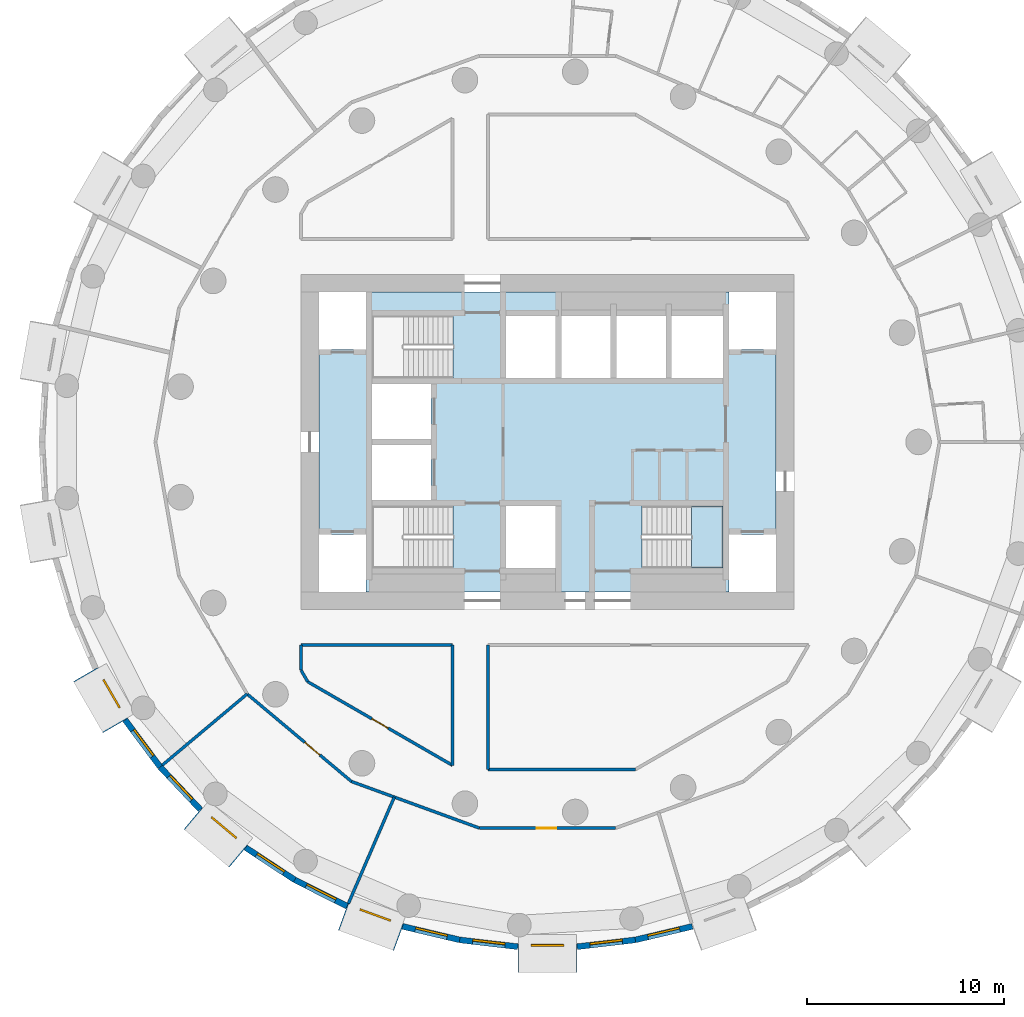
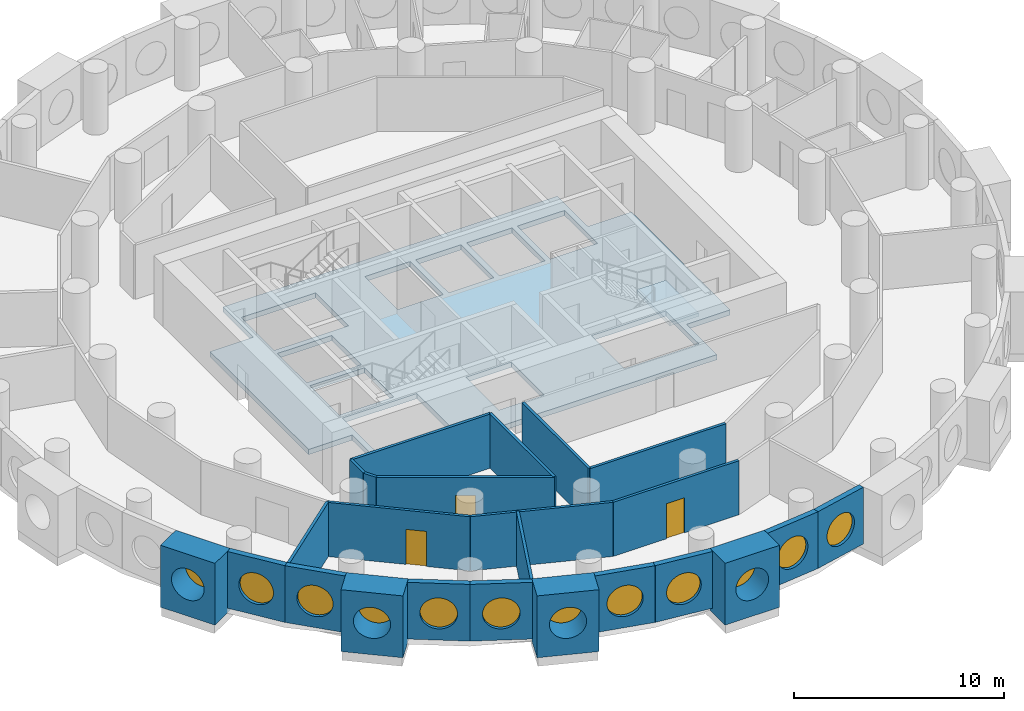
# One storey, part 2 of 10: 24 walls, 12 windows, 3 doors, 2 slabs, 15 openings, 1 element without a shape of its own.
"""IFC4 building model written with IfcOpenShell, lengths in metres."""

from ifc_helpers import new_model, si_unit, direction, frame, frame_2d, origin, origin_2d, place, context, subcontext, project, spatial, polyline, rectangle, circle, outline, extrude, material, layer, layer_set, type_object, element, fill, aggregate, save


model = new_model("IFC4")

# Units and contexts
model_context = context("Model", 3, precision=1e-05, world=origin(), true_north=direction((0.0, 1.0)))
body_context = subcontext(model_context, "Body", "Model", "MODEL_VIEW")
ifc_project = project(units=[si_unit("LENGTHUNIT", "METRE"), si_unit("AREAUNIT", "SQUARE_METRE"), si_unit("VOLUMEUNIT", "CUBIC_METRE"), si_unit("PLANEANGLEUNIT", "RADIAN"), si_unit("MASSUNIT", "GRAM", prefix="KILO")], contexts=[model_context])

# Site, building, storey
site_placement = place(None, origin())
site = spatial("IfcSite", under=ifc_project, at=site_placement, CompositionType="ELEMENT")
building_placement = place(site_placement, origin())
building = spatial("IfcBuilding", under=site, at=building_placement, Name="Tracery Tower", CompositionType="ELEMENT")
storey_placement = place(building_placement, frame((0.0, 0.0, 212.39990234375)))
storey = spatial("IfcBuildingStorey", under=building, at=storey_placement, Name="L55", CompositionType="ELEMENT", Elevation=212.39990234375)

# Slab
ifc_material_1 = material(Name="Concrete C50/60", Category="concrete")
ifc_layer_1 = layer(ifc_material_1, 0.300048828125)
ifc_layer_set_1 = layer_set([ifc_layer_1], Name="Core floor slab 300 C50")
slab_type_1 = type_object("IfcSlabType", Name="Core floor slab 300 C50", PredefinedType="FLOOR", material=ifc_layer_set_1)
slab_1_placement = place(storey_placement, frame((0.0, 0.0, -0.2998046875)))
element("IfcSlab", 1, at=slab_1_placement, inside=storey, type_object=slab_type_1, Name="L55 core floor 1", PredefinedType="FLOOR", context=body_context, shape_type="SweptSolid", body=[
    extrude(outline(polyline([(-9.199951171875, 7.60009765625), (9.199951171875, 7.60009765625), (9.199951171875, 4.699951171875), (11.60009765625, 4.699951171875), (11.60009765625, -4.699951171875), (9.199951171875, -4.699951171875), (9.199951171875, -7.60009765625), (-9.199951171875, -7.60009765625), (-9.199951171875, -4.699951171875), (-11.60009765625, -4.699951171875), (-11.60009765625, 4.699951171875), (-9.199951171875, 4.699951171875), (-9.199951171875, 7.60009765625)]), holes=[polyline([(4.800537109375, -6.39990234375), (8.89990234375, -6.39990234375), (8.89990234375, -3.25), (4.800537109375, -3.25), (4.800537109375, -6.39990234375)]), polyline([(8.89990234375, 3.25), (8.89990234375, 6.39990234375), (6.300048828125, 6.39990234375), (6.300048828125, 3.25), (8.89990234375, 3.25)]), polyline([(6.0, 3.25), (6.0, 6.39990234375), (3.5, 6.39990234375), (3.5, 3.25), (6.0, 3.25)]), polyline([(3.199951171875, 3.25), (3.199951171875, 6.39990234375), (0.699951171875, 6.39990234375), (0.699951171875, 3.25), (3.199951171875, 3.25)]), polyline([(-2.10009765625, 3.25), (0.39990234375, 3.25), (0.39990234375, 6.39990234375), (-2.10009765625, 6.39990234375), (-2.10009765625, 3.25)]), polyline([(0.39990234375, -6.39990234375), (0.39990234375, -3.25), (-2.10009765625, -3.25), (-2.10009765625, -6.39990234375), (0.39990234375, -6.39990234375)]), polyline([(-4.800537109375, -3.25), (-8.89990234375, -3.25), (-8.89990234375, -6.39990234375), (-4.800537109375, -6.39990234375), (-4.800537109375, -3.25)]), polyline([(-4.800537109375, 6.39990234375), (-8.89990234375, 6.39990234375), (-8.89990234375, 3.25), (-4.800537109375, 3.25), (-4.800537109375, 6.39990234375)]), polyline([(-5.89990234375, -2.949951171875), (-5.89990234375, -0.14990234375), (-8.89990234375, -0.14990234375), (-8.89990234375, -2.949951171875), (-5.89990234375, -2.949951171875)]), polyline([(-5.89990234375, 0.14990234375), (-5.89990234375, 2.949951171875), (-8.89990234375, 2.949951171875), (-8.89990234375, 0.14990234375), (-5.89990234375, 0.14990234375)])]), origin(), (0.0, 0.0, 1.0), 0.2998046875),
])

# Stair, slab
ifc_material_2 = material(Name="Concrete C32/40", Category="concrete")
stair_type = type_object("IfcStairType", Name="Core stair 22 risers", PredefinedType="HALF_TURN_STAIR", material=ifc_material_2)
stair_placement = place(storey_placement, origin())
stair = element("IfcStair", 2, at=stair_placement, inside=storey, type_object=stair_type, Name="L55 stair ST2", PredefinedType="HALF_TURN_STAIR")
ifc_material_3 = material(Name="Concrete C32/40", Category="concrete")
ifc_layer_2 = layer(ifc_material_3, 0.199951171875)
ifc_layer_set_2 = layer_set([ifc_layer_2], Name="Stair landing slab 200")
slab_type_2 = type_object("IfcSlabType", Name="Stair landing slab 200", PredefinedType="LANDING", material=ifc_layer_set_2)
slab_2_placement = place(storey_placement, frame((0.0, 0.0, 1.60009765625)))
slab_2 = element("IfcSlab", 3, at=slab_2_placement, type_object=slab_type_2, Name="ST2 landing 1", PredefinedType="LANDING", context=body_context, shape_type="SweptSolid", body=[
    extrude(outline(polyline([(7.29931640625, -6.39990234375), (8.89990234375, -6.39990234375), (8.89990234375, -3.25), (7.29931640625, -3.25), (7.29931640625, -6.39990234375)])), origin(), (0.0, 0.0, 1.0), 0.199951171875),
])
aggregate(stair, [slab_2])

# Wall, opening, window
ifc_material_4 = material(Name="Precast concrete C50/60", Category="concrete")
ifc_layer_3 = layer(ifc_material_4, 1.449951171875)
ifc_layer_set_3 = layer_set([ifc_layer_3], Name="Deep-set bay unit 3000 x 3600, slab edge 300")
wall_type_1 = type_object("IfcWallType", Name="Deep-set bay unit 3000 x 3600, slab edge 300", PredefinedType="ELEMENTEDWALL", material=ifc_layer_set_3)
wall_1_placement = place(storey_placement, frame((-23.421630859375, -11.79052734375, -0.2998046875), z_axis=(0.0, 0.0, 1.0), x_axis=(0.499990139034, -0.866031096941, 0.0)))
wall_1 = element("IfcWall", 4, at=wall_1_placement, inside=storey, type_object=wall_type_1, Name="Deep-set bay unit 32 at L55", PredefinedType="ELEMENTEDWALL", context=body_context, shape_type="SweptSolid", body=[
    extrude(rectangle(XDim=3.0, YDim=1.449951171875, at=frame_2d((1.5, 0.0))), origin(), (0.0, 0.0, 1.0), 3.599853515625),
])
opening_1_placement = place(wall_1_placement, frame((1.5, 0.0, 1.85009765625)))
opening_1 = element("IfcOpeningElement", 5, at=opening_1_placement, cuts=wall_1, Name="Opening WN1", PredefinedType="OPENING", context=body_context, shape_type="SweptSolid", body=[
    extrude(circle(Radius=0.9000244140625, at=origin_2d()), frame((0.0, 0.73486328125, 0.0), z_axis=(0.0, -1.0, 0.0), x_axis=(1.0, 0.0, 0.0)), (0.0, 0.0, 1.0), 1.469970703125),
])
ifc_material_5 = material(Name="Aluminium frame with tinted double glazing", Category="aluminium")
window_type = type_object("IfcWindowType", Name="Round window 1800", PartitioningType="SINGLE_PANEL", PredefinedType="WINDOW", material=ifc_material_5)
window_1_placement = place(opening_1_placement, origin())
window_1 = element("IfcWindow", 6, at=window_1_placement, inside=storey, type_object=window_type, Name="Round window 32 at L55", OverallHeight=1.800048828125, OverallWidth=1.800048828125, PartitioningType="SINGLE_PANEL", PredefinedType="WINDOW", context=body_context, shape_type="SweptSolid", body=[
    extrude(circle(Radius=0.9000244140625, at=origin_2d()), frame((0.0, 0.69482421875, 0.0), z_axis=(0.0, -1.0, 0.0), x_axis=(1.0, 0.0, 0.0)), (0.0, 0.0, 1.0), 0.10009765625),
])
fill(opening_1, window_1)

wall_2_placement = place(storey_placement, frame((-17.9765625, -19.090087890625, -0.2998046875), z_axis=(0.0, 0.0, 1.0), x_axis=(0.766022196139, -0.642814121673, 0.0)))
wall_2 = element("IfcWall", 7, at=wall_2_placement, inside=storey, type_object=wall_type_1, Name="Deep-set bay unit 35 at L55", PredefinedType="ELEMENTEDWALL", context=body_context, shape_type="SweptSolid", body=[
    extrude(rectangle(XDim=3.0, YDim=1.449951171875, at=frame_2d((1.5, 0.0))), origin(), (0.0, 0.0, 1.0), 3.599853515625),
])
opening_2_placement = place(wall_2_placement, frame((1.5, 0.0, 1.85009765625)))
opening_2 = element("IfcOpeningElement", 8, at=opening_2_placement, cuts=wall_2, Name="Opening WN1", PredefinedType="OPENING", context=body_context, shape_type="SweptSolid", body=[
    extrude(circle(Radius=0.9000244140625, at=origin_2d()), frame((0.0, 0.73486328125, 0.0), z_axis=(0.0, -1.0, 0.0), x_axis=(1.0, 0.0, 0.0)), (0.0, 0.0, 1.0), 1.469970703125),
])
window_2_placement = place(opening_2_placement, origin())
window_2 = element("IfcWindow", 9, at=window_2_placement, inside=storey, type_object=window_type, Name="Round window 35 at L55", OverallHeight=1.800048828125, OverallWidth=1.800048828125, PartitioningType="SINGLE_PANEL", PredefinedType="WINDOW", context=body_context, shape_type="SweptSolid", body=[
    extrude(circle(Radius=0.9000244140625, at=origin_2d()), frame((0.0, 0.69482421875, 0.0), z_axis=(0.0, -1.0, 0.0), x_axis=(1.0, 0.0, 0.0)), (0.0, 0.0, 1.0), 0.10009765625),
])
fill(opening_2, window_2)

wall_3_placement = place(storey_placement, frame((-10.36328125, -24.087158203125, -0.2998046875), z_axis=(0.0, 0.0, 1.0), x_axis=(0.939686455819, -0.342037080957, 0.0)))
wall_3 = element("IfcWall", 10, at=wall_3_placement, inside=storey, type_object=wall_type_1, Name="Deep-set bay unit 38 at L55", PredefinedType="ELEMENTEDWALL", context=body_context, shape_type="SweptSolid", body=[
    extrude(rectangle(XDim=3.0, YDim=1.449951171875, at=frame_2d((1.5, 0.0))), origin(), (0.0, 0.0, 1.0), 3.599853515625),
])
opening_3_placement = place(wall_3_placement, frame((1.5, 0.0, 1.85009765625)))
opening_3 = element("IfcOpeningElement", 11, at=opening_3_placement, cuts=wall_3, Name="Opening WN1", PredefinedType="OPENING", context=body_context, shape_type="SweptSolid", body=[
    extrude(circle(Radius=0.9000244140625, at=origin_2d()), frame((0.0, 0.73486328125, 0.0), z_axis=(0.0, -1.0, 0.0), x_axis=(1.0, 0.0, 0.0)), (0.0, 0.0, 1.0), 1.469970703125),
])
window_3_placement = place(opening_3_placement, origin())
window_3 = element("IfcWindow", 12, at=window_3_placement, inside=storey, type_object=window_type, Name="Round window 38 at L55", OverallHeight=1.800048828125, OverallWidth=1.800048828125, PartitioningType="SINGLE_PANEL", PredefinedType="WINDOW", context=body_context, shape_type="SweptSolid", body=[
    extrude(circle(Radius=0.9000244140625, at=origin_2d()), frame((0.0, 0.69482421875, 0.0), z_axis=(0.0, -1.0, 0.0), x_axis=(1.0, 0.0, 0.0)), (0.0, 0.0, 1.0), 0.10009765625),
])
fill(opening_3, window_3)

wall_4_placement = place(storey_placement, frame((-1.5, -26.178955078125, -0.2998046875), z_axis=(0.0, 0.0, 1.0), x_axis=(1.0, 0.0, 0.0)))
wall_4 = element("IfcWall", 13, at=wall_4_placement, inside=storey, type_object=wall_type_1, Name="Deep-set bay unit 41 at L55", PredefinedType="ELEMENTEDWALL", context=body_context, shape_type="SweptSolid", body=[
    extrude(rectangle(XDim=3.0, YDim=1.449951171875, at=frame_2d((1.5, 0.0))), origin(), (0.0, 0.0, 1.0), 3.599853515625),
])
opening_4_placement = place(wall_4_placement, frame((1.5, 0.0, 1.85009765625)))
opening_4 = element("IfcOpeningElement", 14, at=opening_4_placement, cuts=wall_4, Name="Opening WN1", PredefinedType="OPENING", context=body_context, shape_type="SweptSolid", body=[
    extrude(circle(Radius=0.9000244140625, at=origin_2d()), frame((0.0, 0.73486328125, 0.0), z_axis=(0.0, -1.0, 0.0), x_axis=(1.0, 0.0, 0.0)), (0.0, 0.0, 1.0), 1.469970703125),
])
window_4_placement = place(opening_4_placement, origin())
window_4 = element("IfcWindow", 15, at=window_4_placement, inside=storey, type_object=window_type, Name="Round window 41 at L55", OverallHeight=1.800048828125, OverallWidth=1.800048828125, PartitioningType="SINGLE_PANEL", PredefinedType="WINDOW", context=body_context, shape_type="SweptSolid", body=[
    extrude(circle(Radius=0.9000244140625, at=origin_2d()), frame((0.0, 0.69482421875, 0.0), z_axis=(0.0, -1.0, 0.0), x_axis=(1.0, 0.0, 0.0)), (0.0, 0.0, 1.0), 0.10009765625),
])
fill(opening_4, window_4)

ifc_material_6 = material(Name="Precast concrete C50/60", Category="concrete")
ifc_layer_4 = layer(ifc_material_6, 0.300048828125)
ifc_layer_set_4 = layer_set([ifc_layer_4], Name="Facade panel 3000 x 3300")
wall_type_2 = type_object("IfcWallType", Name="Facade panel 3000 x 3300", PredefinedType="SOLIDWALL", material=ifc_layer_set_4)
wall_5_placement = place(storey_placement, frame((-21.42236328125, -14.101318359375, 0.0), z_axis=(0.0, 0.0, 1.0), x_axis=(0.597197580538, -0.80209416517, 0.0)))
wall_5 = element("IfcWall", 16, at=wall_5_placement, inside=storey, type_object=wall_type_2, Name="Facade panel 33 at L55", PredefinedType="SOLIDWALL", context=body_context, shape_type="SweptSolid", body=[
    extrude(rectangle(XDim=2.972900390625, YDim=0.300048828125, at=frame_2d((1.486328125, 0.0))), origin(), (0.0, 0.0, 1.0), 3.300048828125),
])
opening_5_placement = place(wall_5_placement, frame((1.486328125, 0.0, 1.5498046875)))
opening_5 = element("IfcOpeningElement", 17, at=opening_5_placement, cuts=wall_5, Name="Opening WN1", PredefinedType="OPENING", context=body_context, shape_type="SweptSolid", body=[
    extrude(circle(Radius=0.9000244140625, at=origin_2d()), frame((0.0, 0.159912109375, 0.0), z_axis=(0.0, -1.0, 0.0), x_axis=(1.0, 0.0, 0.0)), (0.0, 0.0, 1.0), 0.320068359375),
])
window_5_placement = place(opening_5_placement, origin())
window_5 = element("IfcWindow", 18, at=window_5_placement, inside=storey, type_object=window_type, Name="Round window 33 at L55", OverallHeight=1.800048828125, OverallWidth=1.800048828125, PartitioningType="SINGLE_PANEL", PredefinedType="WINDOW", context=body_context, shape_type="SweptSolid", body=[
    extrude(circle(Radius=0.9000244140625, at=origin_2d()), frame((0.0, 0.1201171875, 0.0), z_axis=(0.0, -1.0, 0.0), x_axis=(1.0, 0.0, 0.0)), (0.0, 0.0, 1.0), 0.10009765625),
])
fill(opening_5, window_5)

wall_6_placement = place(storey_placement, frame((-19.64697265625, -16.48583984375, 0.0), z_axis=(0.0, 0.0, 1.0), x_axis=(0.686235184166, -0.727379730273, 0.0)))
wall_6 = element("IfcWall", 19, at=wall_6_placement, inside=storey, type_object=wall_type_2, Name="Facade panel 34 at L55", PredefinedType="SOLIDWALL", context=body_context, shape_type="SweptSolid", body=[
    extrude(rectangle(XDim=2.972900390625, YDim=0.300048828125, at=frame_2d((1.486328125, 0.0))), origin(), (0.0, 0.0, 1.0), 3.300048828125),
])
opening_6_placement = place(wall_6_placement, frame((1.486328125, 0.0, 1.5498046875)))
opening_6 = element("IfcOpeningElement", 20, at=opening_6_placement, cuts=wall_6, Name="Opening WN1", PredefinedType="OPENING", context=body_context, shape_type="SweptSolid", body=[
    extrude(circle(Radius=0.9000244140625, at=origin_2d()), frame((0.0, 0.159912109375, 0.0), z_axis=(0.0, -1.0, 0.0), x_axis=(1.0, 0.0, 0.0)), (0.0, 0.0, 1.0), 0.320068359375),
])
window_6_placement = place(opening_6_placement, origin())
window_6 = element("IfcWindow", 21, at=window_6_placement, inside=storey, type_object=window_type, Name="Round window 34 at L55", OverallHeight=1.800048828125, OverallWidth=1.800048828125, PartitioningType="SINGLE_PANEL", PredefinedType="WINDOW", context=body_context, shape_type="SweptSolid", body=[
    extrude(circle(Radius=0.9000244140625, at=origin_2d()), frame((0.0, 0.1201171875, 0.0), z_axis=(0.0, -1.0, 0.0), x_axis=(1.0, 0.0, 0.0)), (0.0, 0.0, 1.0), 0.10009765625),
])
fill(opening_6, window_6)

wall_7_placement = place(storey_placement, frame((-15.3076171875, -20.57763671875, 0.0), z_axis=(0.0, 0.0, 1.0), x_axis=(0.835470659512, -0.549535055382, 0.0)))
wall_7 = element("IfcWall", 22, at=wall_7_placement, inside=storey, type_object=wall_type_2, Name="Facade panel 36 at L55", PredefinedType="SOLIDWALL", context=body_context, shape_type="SweptSolid", body=[
    extrude(rectangle(XDim=2.97314453125, YDim=0.300048828125, at=frame_2d((1.486572265625, 0.0))), origin(), (0.0, 0.0, 1.0), 3.300048828125),
])
opening_7_placement = place(wall_7_placement, frame((1.486328125, 0.0, 1.5498046875)))
opening_7 = element("IfcOpeningElement", 23, at=opening_7_placement, cuts=wall_7, Name="Opening WN1", PredefinedType="OPENING", context=body_context, shape_type="SweptSolid", body=[
    extrude(circle(Radius=0.9000244140625, at=origin_2d()), frame((0.0, 0.159912109375, 0.0), z_axis=(0.0, -1.0, 0.0), x_axis=(1.0, 0.0, 0.0)), (0.0, 0.0, 1.0), 0.320068359375),
])
window_7_placement = place(opening_7_placement, origin())
window_7 = element("IfcWindow", 24, at=window_7_placement, inside=storey, type_object=window_type, Name="Round window 36 at L55", OverallHeight=1.800048828125, OverallWidth=1.800048828125, PartitioningType="SINGLE_PANEL", PredefinedType="WINDOW", context=body_context, shape_type="SweptSolid", body=[
    extrude(circle(Radius=0.9000244140625, at=origin_2d()), frame((0.0, 0.1201171875, 0.0), z_axis=(0.0, -1.0, 0.0), x_axis=(1.0, 0.0, 0.0)), (0.0, 0.0, 1.0), 0.10009765625),
])
fill(opening_7, window_7)

wall_8_placement = place(storey_placement, frame((-12.82373046875, -22.21142578125, 0.0), z_axis=(0.0, 0.0, 1.0), x_axis=(0.893637442555, -0.448789618045, 0.0)))
wall_8 = element("IfcWall", 25, at=wall_8_placement, inside=storey, type_object=wall_type_2, Name="Facade panel 37 at L55", PredefinedType="SOLIDWALL", context=body_context, shape_type="SweptSolid", body=[
    extrude(rectangle(XDim=2.972900390625, YDim=0.300048828125, at=frame_2d((1.486328125, 0.0))), origin(), (0.0, 0.0, 1.0), 3.300048828125),
])
opening_8_placement = place(wall_8_placement, frame((1.486328125, 0.0, 1.5498046875)))
opening_8 = element("IfcOpeningElement", 26, at=opening_8_placement, cuts=wall_8, Name="Opening WN1", PredefinedType="OPENING", context=body_context, shape_type="SweptSolid", body=[
    extrude(circle(Radius=0.9000244140625, at=origin_2d()), frame((0.0, 0.159912109375, 0.0), z_axis=(0.0, -1.0, 0.0), x_axis=(1.0, 0.0, 0.0)), (0.0, 0.0, 1.0), 0.320068359375),
])
window_8_placement = place(opening_8_placement, origin())
window_8 = element("IfcWindow", 27, at=window_8_placement, inside=storey, type_object=window_type, Name="Round window 37 at L55", OverallHeight=1.800048828125, OverallWidth=1.800048828125, PartitioningType="SINGLE_PANEL", PredefinedType="WINDOW", context=body_context, shape_type="SweptSolid", body=[
    extrude(circle(Radius=0.9000244140625, at=origin_2d()), frame((0.0, 0.1201171875, 0.0), z_axis=(0.0, -1.0, 0.0), x_axis=(1.0, 0.0, 0.0)), (0.0, 0.0, 1.0), 0.10009765625),
])
fill(opening_8, window_8)

wall_9_placement = place(storey_placement, frame((-7.346435546875, -24.572265625, 0.0), z_axis=(0.0, 0.0, 1.0), x_axis=(0.973049746156, -0.230595298102, 0.0)))
wall_9 = element("IfcWall", 28, at=wall_9_placement, inside=storey, type_object=wall_type_2, Name="Facade panel 39 at L55", PredefinedType="SOLIDWALL", context=body_context, shape_type="SweptSolid", body=[
    extrude(rectangle(XDim=2.972900390625, YDim=0.300048828125, at=frame_2d((1.486328125, 0.0))), origin(), (0.0, 0.0, 1.0), 3.300048828125),
])
opening_9_placement = place(wall_9_placement, frame((1.486328125, 0.0, 1.5498046875)))
opening_9 = element("IfcOpeningElement", 29, at=opening_9_placement, cuts=wall_9, Name="Opening WN1", PredefinedType="OPENING", context=body_context, shape_type="SweptSolid", body=[
    extrude(circle(Radius=0.9000244140625, at=origin_2d()), frame((0.0, 0.159912109375, 0.0), z_axis=(0.0, -1.0, 0.0), x_axis=(1.0, 0.0, 0.0)), (0.0, 0.0, 1.0), 0.320068359375),
])
window_9_placement = place(opening_9_placement, origin())
window_9 = element("IfcWindow", 30, at=window_9_placement, inside=storey, type_object=window_type, Name="Round window 39 at L55", OverallHeight=1.800048828125, OverallWidth=1.800048828125, PartitioningType="SINGLE_PANEL", PredefinedType="WINDOW", context=body_context, shape_type="SweptSolid", body=[
    extrude(circle(Radius=0.9000244140625, at=origin_2d()), frame((0.0, 0.1201171875, 0.0), z_axis=(0.0, -1.0, 0.0), x_axis=(1.0, 0.0, 0.0)), (0.0, 0.0, 1.0), 0.10009765625),
])
fill(opening_9, window_9)

wall_10_placement = place(storey_placement, frame((-4.45361328125, -25.2578125, 0.0), z_axis=(0.0, 0.0, 1.0), x_axis=(0.993235542767, -0.116116995244, 0.0)))
wall_10 = element("IfcWall", 31, at=wall_10_placement, inside=storey, type_object=wall_type_2, Name="Facade panel 40 at L55", PredefinedType="SOLIDWALL", context=body_context, shape_type="SweptSolid", body=[
    extrude(rectangle(XDim=2.972900390625, YDim=0.300048828125, at=frame_2d((1.486328125, 0.0))), origin(), (0.0, 0.0, 1.0), 3.300048828125),
])
opening_10_placement = place(wall_10_placement, frame((1.486328125, 0.0, 1.5498046875)))
opening_10 = element("IfcOpeningElement", 32, at=opening_10_placement, cuts=wall_10, Name="Opening WN1", PredefinedType="OPENING", context=body_context, shape_type="SweptSolid", body=[
    extrude(circle(Radius=0.9000244140625, at=origin_2d()), frame((0.0, 0.159912109375, 0.0), z_axis=(0.0, -1.0, 0.0), x_axis=(1.0, 0.0, 0.0)), (0.0, 0.0, 1.0), 0.320068359375),
])
window_10_placement = place(opening_10_placement, origin())
window_10 = element("IfcWindow", 33, at=window_10_placement, inside=storey, type_object=window_type, Name="Round window 40 at L55", OverallHeight=1.800048828125, OverallWidth=1.800048828125, PartitioningType="SINGLE_PANEL", PredefinedType="WINDOW", context=body_context, shape_type="SweptSolid", body=[
    extrude(circle(Radius=0.9000244140625, at=origin_2d()), frame((0.0, 0.1201171875, 0.0), z_axis=(0.0, -1.0, 0.0), x_axis=(1.0, 0.0, 0.0)), (0.0, 0.0, 1.0), 0.10009765625),
])
fill(opening_10, window_10)

wall_11_placement = place(storey_placement, frame((1.500732421875, -25.60302734375, 0.0), z_axis=(0.0, 0.0, 1.0), x_axis=(0.993235542767, 0.116116995244, 0.0)))
wall_11 = element("IfcWall", 34, at=wall_11_placement, inside=storey, type_object=wall_type_2, Name="Facade panel 42 at L55", PredefinedType="SOLIDWALL", context=body_context, shape_type="SweptSolid", body=[
    extrude(rectangle(XDim=2.972900390625, YDim=0.300048828125, at=frame_2d((1.486328125, 0.0))), origin(), (0.0, 0.0, 1.0), 3.300048828125),
])
opening_11_placement = place(wall_11_placement, frame((1.486328125, 0.0, 1.5498046875)))
opening_11 = element("IfcOpeningElement", 35, at=opening_11_placement, cuts=wall_11, Name="Opening WN1", PredefinedType="OPENING", context=body_context, shape_type="SweptSolid", body=[
    extrude(circle(Radius=0.9000244140625, at=origin_2d()), frame((0.0, 0.159912109375, 0.0), z_axis=(0.0, -1.0, 0.0), x_axis=(1.0, 0.0, 0.0)), (0.0, 0.0, 1.0), 0.320068359375),
])
window_11_placement = place(opening_11_placement, origin())
window_11 = element("IfcWindow", 36, at=window_11_placement, inside=storey, type_object=window_type, Name="Round window 42 at L55", OverallHeight=1.800048828125, OverallWidth=1.800048828125, PartitioningType="SINGLE_PANEL", PredefinedType="WINDOW", context=body_context, shape_type="SweptSolid", body=[
    extrude(circle(Radius=0.9000244140625, at=origin_2d()), frame((0.0, 0.1201171875, 0.0), z_axis=(0.0, -1.0, 0.0), x_axis=(1.0, 0.0, 0.0)), (0.0, 0.0, 1.0), 0.10009765625),
])
fill(opening_11, window_11)

wall_12_placement = place(storey_placement, frame((4.45361328125, -25.2578125, 0.0), z_axis=(0.0, 0.0, 1.0), x_axis=(0.973049746156, 0.230595298102, 0.0)))
wall_12 = element("IfcWall", 37, at=wall_12_placement, inside=storey, type_object=wall_type_2, Name="Facade panel 43 at L55", PredefinedType="SOLIDWALL", context=body_context, shape_type="SweptSolid", body=[
    extrude(rectangle(XDim=2.972900390625, YDim=0.300048828125, at=frame_2d((1.486328125, 0.0))), origin(), (0.0, 0.0, 1.0), 3.300048828125),
])
opening_12_placement = place(wall_12_placement, frame((1.486328125, 0.0, 1.5498046875)))
opening_12 = element("IfcOpeningElement", 38, at=opening_12_placement, cuts=wall_12, Name="Opening WN1", PredefinedType="OPENING", context=body_context, shape_type="SweptSolid", body=[
    extrude(circle(Radius=0.9000244140625, at=origin_2d()), frame((0.0, 0.159912109375, 0.0), z_axis=(0.0, -1.0, 0.0), x_axis=(1.0, 0.0, 0.0)), (0.0, 0.0, 1.0), 0.320068359375),
])
window_12_placement = place(opening_12_placement, origin())
window_12 = element("IfcWindow", 39, at=window_12_placement, inside=storey, type_object=window_type, Name="Round window 43 at L55", OverallHeight=1.800048828125, OverallWidth=1.800048828125, PartitioningType="SINGLE_PANEL", PredefinedType="WINDOW", context=body_context, shape_type="SweptSolid", body=[
    extrude(circle(Radius=0.9000244140625, at=origin_2d()), frame((0.0, 0.1201171875, 0.0), z_axis=(0.0, -1.0, 0.0), x_axis=(1.0, 0.0, 0.0)), (0.0, 0.0, 1.0), 0.10009765625),
])
fill(opening_12, window_12)

# Walls
ifc_material_7 = material(Name="Plasterboard on steel studs", Category="steel")
ifc_layer_5 = layer(ifc_material_7, 0.14990234375)
ifc_layer_set_5 = layer_set([ifc_layer_5], Name="Partition 150 acoustic unit wall")
wall_type_3 = type_object("IfcWallType", Name="Partition 150 acoustic unit wall", PredefinedType="PARTITIONING", material=ifc_layer_set_5)
wall_13_placement = place(storey_placement, frame((-19.531982421875, -16.388916015625, 0.0), z_axis=(0.0, 0.0, 1.0), x_axis=(0.76609059793, 0.642732600514, 0.0)))
element("IfcWall", 40, at=wall_13_placement, inside=storey, type_object=wall_type_3, Name="Unit wall RB9-066", PredefinedType="PARTITIONING", context=body_context, shape_type="SweptSolid", body=[
    extrude(rectangle(XDim=5.60888671875, YDim=0.14990234375, at=frame_2d((2.804443359375, 0.0))), origin(), (0.0, 0.0, 1.0), 3.150146484375),
])
wall_14_placement = place(storey_placement, frame((-10.09912109375, -23.412109375, 0.0), z_axis=(0.0, 0.0, 1.0), x_axis=(0.39601833725, 0.918242602236, 0.0)))
element("IfcWall", 41, at=wall_14_placement, inside=storey, type_object=wall_type_3, Name="Unit wall RB9-067", PredefinedType="PARTITIONING", context=body_context, shape_type="SweptSolid", body=[
    extrude(rectangle(XDim=5.87890625, YDim=0.14990234375, at=frame_2d((2.939453125, 0.0))), origin(), (0.0, 0.0, 1.0), 3.150146484375),
])
ifc_material_8 = material(Name="Plasterboard on steel studs", Category="steel")
ifc_layer_6 = layer(ifc_material_8, 0.14990234375)
ifc_layer_set_6 = layer_set([ifc_layer_6], Name="Partition 150 corridor wall")
wall_type_4 = type_object("IfcWallType", Name="Partition 150 corridor wall", PredefinedType="PARTITIONING", material=ifc_layer_set_6)
wall_15_placement = place(storey_placement, frame((-12.50390625, -10.300048828125, 0.0), z_axis=(0.0, 0.0, 1.0), x_axis=(1.0, 0.0, 0.0)))
element("IfcWall", 42, at=wall_15_placement, inside=storey, type_object=wall_type_4, Name="Corridor wall RB9-003", PredefinedType="PARTITIONING", context=body_context, shape_type="SweptSolid", body=[
    extrude(rectangle(XDim=7.68701171875, YDim=0.14990234375, at=frame_2d((3.843505859375, 0.0))), origin(), (0.0, 0.0, 1.0), 3.150146484375),
])
wall_16_placement = place(storey_placement, frame((-12.5, -11.576904296875, 0.0), z_axis=(0.0, 0.0, 1.0), x_axis=(0.0, 1.0, 0.0)))
element("IfcWall", 43, at=wall_16_placement, inside=storey, type_object=wall_type_4, Name="Corridor wall RB9-024", PredefinedType="PARTITIONING", context=body_context, shape_type="SweptSolid", body=[
    extrude(rectangle(XDim=1.27685546875, YDim=0.14990234375, at=frame_2d((0.638427734375, 0.0))), origin(), (0.0, 0.0, 1.0), 3.150146484375),
])
wall_17_placement = place(storey_placement, frame((-12.5, -11.576904296875, 0.0), z_axis=(0.0, 0.0, 1.0), x_axis=(0.500024767483, -0.866011103799, 0.0)))
element("IfcWall", 44, at=wall_17_placement, inside=storey, type_object=wall_type_4, Name="Corridor wall RB9-025", PredefinedType="PARTITIONING", context=body_context, shape_type="SweptSolid", body=[
    extrude(rectangle(XDim=0.67578125, YDim=0.14990234375, at=frame_2d((0.337890625, 0.0))), origin(), (0.0, 0.0, 1.0), 3.150146484375),
])

# Wall, opening, door
wall_18_placement = place(storey_placement, frame((-15.235107421875, -12.783935546875, 0.0), z_axis=(0.0, 0.0, 1.0), x_axis=(0.766192104565, -0.642611592567, 0.0)))
wall_18 = element("IfcWall", 45, at=wall_18_placement, inside=storey, type_object=wall_type_4, Name="Corridor wall RB9-030", PredefinedType="PARTITIONING", context=body_context, shape_type="SweptSolid", body=[
    extrude(rectangle(XDim=6.906494140625, YDim=0.14990234375, at=frame_2d((3.453125, 0.0))), origin(), (0.0, 0.0, 1.0), 3.150146484375),
])
opening_13_placement = place(wall_18_placement, frame((3.823486328125, 0.0, 0.0)))
opening_13 = element("IfcOpeningElement", 46, at=opening_13_placement, cuts=wall_18, Name="Opening RB9-22", PredefinedType="OPENING", context=body_context, shape_type="SweptSolid", body=[
    extrude(rectangle(XDim=1.0, YDim=2.0400390625, at=frame_2d((0.5, 1.02001953125))), frame((0.0, 0.074951171875, 0.0), z_axis=(0.0, -1.0, 0.0), x_axis=(1.0, 0.0, 0.0)), (0.0, 0.0, 1.0), 0.14990234375),
])
ifc_material_9 = material(Name="Timber door leaf", Category="wood")
door_type_1 = type_object("IfcDoorType", Name="Door communal room 1000", OperationType="NOTDEFINED", PredefinedType="DOOR", material=ifc_material_9)
door_1_placement = place(opening_13_placement, origin())
door_1 = element("IfcDoor", 47, at=door_1_placement, inside=storey, type_object=door_type_1, Name="Communal room door RB9-22", OperationType="SINGLE_SWING_LEFT", OverallHeight=2.0400390625, OverallWidth=1.0, PredefinedType="DOOR", context=body_context, shape_type="SweptSolid", body=[
    extrude(rectangle(XDim=1.0, YDim=2.0400390625, at=frame_2d((0.5, 1.02001953125))), frame((0.0, 0.02490234375, 0.0), z_axis=(0.0, -1.0, 0.0), x_axis=(1.0, 0.0, 0.0)), (0.0, 0.0, 1.0), 0.050048828125),
])
fill(opening_13, door_1)

wall_19_placement = place(storey_placement, frame((-12.162109375, -12.162109375, 0.0), z_axis=(0.0, 0.0, 1.0), x_axis=(0.866004766557, -0.500035743023, 0.0)))
wall_19 = element("IfcWall", 48, at=wall_19_placement, inside=storey, type_object=wall_type_4, Name="Corridor wall RB9-031", PredefinedType="PARTITIONING", context=body_context, shape_type="SweptSolid", body=[
    extrude(rectangle(XDim=8.47705078125, YDim=0.14990234375, at=frame_2d((4.238525390625, 0.0))), origin(), (0.0, 0.0, 1.0), 3.150146484375),
])
opening_14_placement = place(wall_19_placement, frame((3.762939453125, 0.0, 0.0)))
opening_14 = element("IfcOpeningElement", 49, at=opening_14_placement, cuts=wall_19, Name="Opening RB9-03", PredefinedType="OPENING", context=body_context, shape_type="SweptSolid", body=[
    extrude(rectangle(XDim=0.949951171875, YDim=2.10009765625, at=frame_2d((0.47509765625, 1.050048828125))), frame((0.0, 0.074951171875, 0.0), z_axis=(0.0, -1.0, 0.0), x_axis=(1.0, 0.0, 0.0)), (0.0, 0.0, 1.0), 0.14990234375),
])
ifc_material_10 = material(Name="Timber door leaf", Category="wood")
door_type_2 = type_object("IfcDoorType", Name="Door store 950", OperationType="NOTDEFINED", PredefinedType="DOOR", material=ifc_material_10)
door_2_placement = place(opening_14_placement, origin())
door_2 = element("IfcDoor", 50, at=door_2_placement, inside=storey, type_object=door_type_2, Name="Store door RB9-03", OperationType="SINGLE_SWING_LEFT", OverallHeight=2.10009765625, OverallWidth=0.949951171875, PredefinedType="DOOR", context=body_context, shape_type="SweptSolid", body=[
    extrude(rectangle(XDim=0.949951171875, YDim=2.10009765625, at=frame_2d((0.47509765625, 1.050048828125))), frame((0.0, 0.02490234375, 0.0), z_axis=(0.0, -1.0, 0.0), x_axis=(1.0, 0.0, 0.0)), (0.0, 0.0, 1.0), 0.050048828125),
])
fill(opening_14, door_2)

# Walls
wall_20_placement = place(storey_placement, frame((-4.821044921875, -16.40087890625, 0.0), z_axis=(0.0, 0.0, 1.0), x_axis=(0.0, 1.0, 0.0)))
element("IfcWall", 51, at=wall_20_placement, inside=storey, type_object=wall_type_4, Name="Corridor wall RB9-032", PredefinedType="PARTITIONING", context=body_context, shape_type="SweptSolid", body=[
    extrude(rectangle(XDim=6.100830078125, YDim=0.14990234375, at=frame_2d((3.05029296875, 0.0))), origin(), (0.0, 0.0, 1.0), 3.150146484375),
])
wall_21_placement = place(storey_placement, frame((-3.02099609375, -16.614013671875, 0.0), z_axis=(0.0, 0.0, 1.0), x_axis=(0.0, 1.0, 0.0)))
element("IfcWall", 52, at=wall_21_placement, inside=storey, type_object=wall_type_4, Name="Corridor wall RB9-033", PredefinedType="PARTITIONING", context=body_context, shape_type="SweptSolid", body=[
    extrude(rectangle(XDim=6.31396484375, YDim=0.14990234375, at=frame_2d((3.156982421875, 0.0))), origin(), (0.0, 0.0, 1.0), 3.150146484375),
])
wall_22_placement = place(storey_placement, frame((-3.02099609375, -16.614013671875, 0.0), z_axis=(0.0, 0.0, 1.0), x_axis=(1.0, 0.0, 0.0)))
element("IfcWall", 53, at=wall_22_placement, inside=storey, type_object=wall_type_4, Name="Corridor wall RB9-034", PredefinedType="PARTITIONING", context=body_context, shape_type="SweptSolid", body=[
    extrude(rectangle(XDim=7.472900390625, YDim=0.14990234375, at=frame_2d((3.736328125, 0.0))), origin(), (0.0, 0.0, 1.0), 3.150146484375),
])
wall_23_placement = place(storey_placement, frame((-9.944091796875, -17.222900390625, 0.0), z_axis=(0.0, 0.0, 1.0), x_axis=(0.939737689664, -0.341896292208, 0.0)))
element("IfcWall", 54, at=wall_23_placement, inside=storey, type_object=wall_type_4, Name="Corridor wall RB9-036", PredefinedType="PARTITIONING", context=body_context, shape_type="SweptSolid", body=[
    extrude(rectangle(XDim=6.907958984375, YDim=0.14990234375, at=frame_2d((3.4541015625, 0.0))), origin(), (0.0, 0.0, 1.0), 3.150146484375),
])

# Wall, opening, door
wall_24_placement = place(storey_placement, frame((-3.452880859375, -19.5859375, 0.0), z_axis=(0.0, 0.0, 1.0), x_axis=(1.0, 0.0, 0.0)))
wall_24 = element("IfcWall", 55, at=wall_24_placement, inside=storey, type_object=wall_type_4, Name="Corridor wall RB9-038", PredefinedType="PARTITIONING", context=body_context, shape_type="SweptSolid", body=[
    extrude(rectangle(XDim=6.90576171875, YDim=0.14990234375, at=frame_2d((3.452880859375, 0.0))), origin(), (0.0, 0.0, 1.0), 3.150146484375),
])
opening_15_placement = place(wall_24_placement, frame((2.903076171875, 0.0, 0.0)))
opening_15 = element("IfcOpeningElement", 56, at=opening_15_placement, cuts=wall_24, Name="Opening RB9-23", PredefinedType="OPENING", context=body_context, shape_type="SweptSolid", body=[
    extrude(rectangle(XDim=1.0, YDim=2.0400390625, at=frame_2d((0.5, 1.02001953125))), frame((0.0, 0.074951171875, 0.0), z_axis=(0.0, -1.0, 0.0), x_axis=(1.0, 0.0, 0.0)), (0.0, 0.0, 1.0), 0.14990234375),
])
door_3_placement = place(opening_15_placement, origin())
door_3 = element("IfcDoor", 57, at=door_3_placement, inside=storey, type_object=door_type_1, Name="Communal room door RB9-23", OperationType="SINGLE_SWING_RIGHT", OverallHeight=2.0400390625, OverallWidth=1.0, PredefinedType="DOOR", context=body_context, shape_type="SweptSolid", body=[
    extrude(rectangle(XDim=1.0, YDim=2.0400390625, at=frame_2d((0.5, 1.02001953125))), frame((0.0, 0.02490234375, 0.0), z_axis=(0.0, -1.0, 0.0), x_axis=(1.0, 0.0, 0.0)), (0.0, 0.0, 1.0), 0.050048828125),
])
fill(opening_15, door_3)

save(model, "model.ifc")
